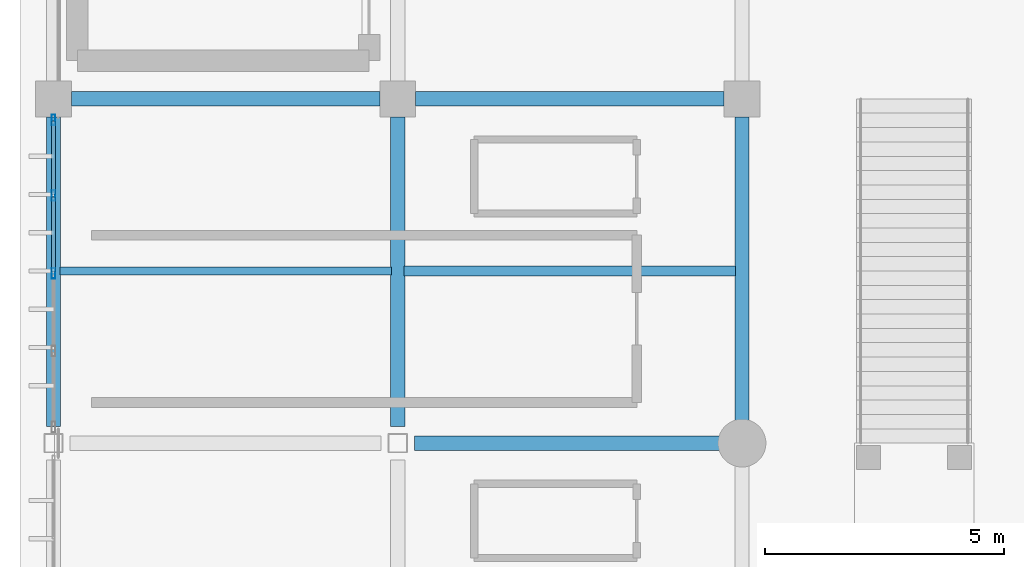
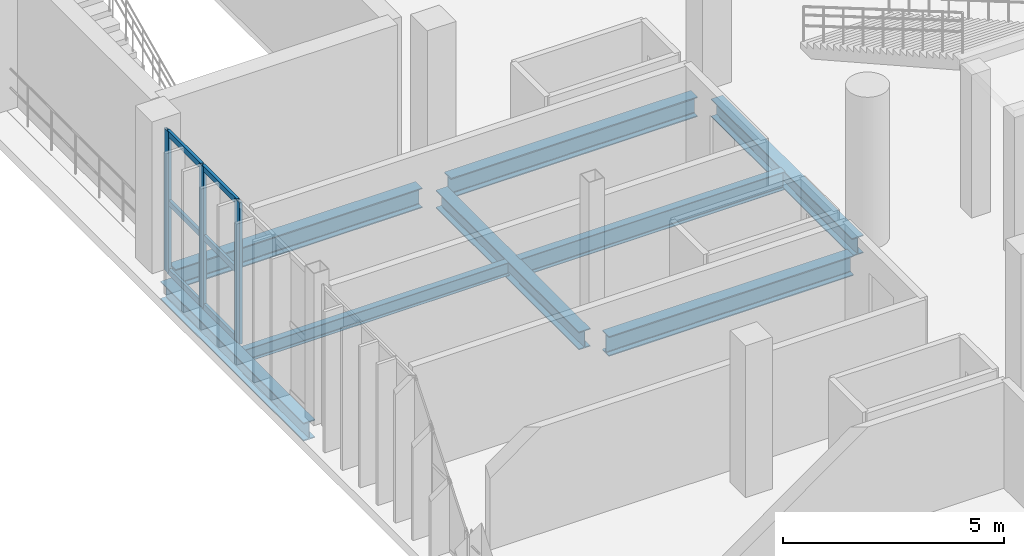
# One storey, part 50 of 130: 9 members, 8 beams, 1 element without a shape of its own.
"""IFC4 building model written with IfcOpenShell, lengths in metres."""

from ifc_helpers import new_model, si_unit, direction, frame, origin, origin_2d, place, context, subcontext, project, spatial, hollow_rectangle, i_section, extrude, material, material_profile, profile_set, type_object, element, aggregate, save


model = new_model("IFC4")

# Units and contexts
model_context = context("Model", 3, precision=1e-05, world=origin(), true_north=direction((0.0, 1.0)))
body_context = subcontext(model_context, "Body", "Model", "MODEL_VIEW")
ifc_project = project(units=[si_unit("LENGTHUNIT", "METRE"), si_unit("AREAUNIT", "SQUARE_METRE"), si_unit("VOLUMEUNIT", "CUBIC_METRE"), si_unit("PLANEANGLEUNIT", "RADIAN"), si_unit("MASSUNIT", "GRAM", prefix="KILO")], contexts=[model_context])

# Site, building, storey
site_placement = place(None, origin())
site = spatial("IfcSite", under=ifc_project, at=site_placement, CompositionType="ELEMENT")
building_placement = place(site_placement, origin())
building = spatial("IfcBuilding", under=site, at=building_placement, Name="Qandorah Velis Arena", CompositionType="ELEMENT")
storey_placement = place(building_placement, frame((0.0, 0.0, 9.60009765625)))
storey = spatial("IfcBuildingStorey", under=building, at=storey_placement, Name="L02", CompositionType="ELEMENT", Elevation=9.60009765625)

# Curtain wall, members
ifc_material_1 = material(Name="Solar-control low-E double glazing", Category="glass")
curtain_wall_type = type_object("IfcCurtainWallType", Name="ARC-CW-SYS17", PredefinedType="USERDEFINED", material=ifc_material_1)
curtain_wall_placement = place(storey_placement, origin())
curtain_wall = element("IfcCurtainWall", 1, at=curtain_wall_placement, inside=storey, type_object=curtain_wall_type, Name="Unitised curtain wall L02-017", ObjectType="UNITISED CURTAIN WALL", PredefinedType="USERDEFINED")
ifc_material_2 = material(Name="Champagne-bronze anodized aluminium 6063-T6", Category="aluminium")
ifc_material_profile_1 = material_profile(ifc_material_2, hollow_rectangle(XDim=0.074951171875, YDim=0.219970703125, WallThickness=0.00390625, at=origin_2d()), Name="ALU MULLION 75x220")
ifc_profile_set_1 = profile_set([ifc_material_profile_1], Name="Champagne-bronze anodized aluminium 6063-T6")
member_type_1 = type_object("IfcMemberType", Name="ARC-CWM-220", PredefinedType="MULLION", material=ifc_profile_set_1)
member_1_placement = place(storey_placement, frame((0.0, 75.550048828125, -0.01513671875), z_axis=(0.0, 0.0, 1.0), x_axis=(-1.0, 0.0, 0.0)))
member_1 = element("IfcMember", 2, at=member_1_placement, type_object=member_type_1, Name="CW17 mullion 3", PredefinedType="MULLION", context=body_context, shape_type="SweptSolid", body=[
    extrude(hollow_rectangle(XDim=0.074951171875, YDim=0.219970703125, WallThickness=0.00390625, at=origin_2d()), origin(), (0.0, 0.0, 1.0), 3.91015625),
])
member_2_placement = place(storey_placement, frame((0.0, 77.175048828125, -0.01513671875), z_axis=(0.0, 0.0, 1.0), x_axis=(-1.0, 0.0, 0.0)))
member_2 = element("IfcMember", 3, at=member_2_placement, type_object=member_type_1, Name="CW17 mullion 4", PredefinedType="MULLION", context=body_context, shape_type="SweptSolid", body=[
    extrude(hollow_rectangle(XDim=0.074951171875, YDim=0.219970703125, WallThickness=0.00390625, at=origin_2d()), origin(), (0.0, 0.0, 1.0), 3.91015625),
])
member_3_placement = place(storey_placement, frame((0.0, 78.762451171875, -0.01513671875), z_axis=(0.0, 0.0, 1.0), x_axis=(-1.0, 0.0, 0.0)))
member_3 = element("IfcMember", 4, at=member_3_placement, type_object=member_type_1, Name="CW17 mullion 5", PredefinedType="MULLION", context=body_context, shape_type="SweptSolid", body=[
    extrude(hollow_rectangle(XDim=0.074951171875, YDim=0.219970703125, WallThickness=0.00390625, at=origin_2d()), origin(), (0.0, 0.0, 1.0), 3.91015625),
])
ifc_material_profile_2 = material_profile(ifc_material_2, hollow_rectangle(XDim=0.074951171875, YDim=0.159912109375, WallThickness=0.00341796875, at=origin_2d()), Name="ALU TRANSOM 75x160")
ifc_profile_set_2 = profile_set([ifc_material_profile_2], Name="Champagne-bronze anodized aluminium 6063-T6")
member_type_2 = type_object("IfcMemberType", Name="ARC-CWT-160", PredefinedType="USERDEFINED", material=ifc_profile_set_2)
member_4_placement = place(storey_placement, frame((0.0, 75.575439453125, 0.037353515625), z_axis=(0.0, 1.0, 0.0), x_axis=(-1.0, 0.0, 0.0)))
member_4 = element("IfcMember", 5, at=member_4_placement, type_object=member_type_2, Name="CW17 transom 3.1", ObjectType="TRANSOM", PredefinedType="USERDEFINED", context=body_context, shape_type="SweptSolid", body=[
    extrude(hollow_rectangle(XDim=0.074951171875, YDim=0.159912109375, WallThickness=0.00341796875, at=origin_2d()), origin(), (0.0, 0.0, 1.0), 1.573974609375),
])
member_5_placement = place(storey_placement, frame((0.0, 75.575439453125, 1.93994140625), z_axis=(0.0, 1.0, 0.0), x_axis=(-1.0, 0.0, 0.0)))
member_5 = element("IfcMember", 6, at=member_5_placement, type_object=member_type_2, Name="CW17 transom 3.2", ObjectType="TRANSOM", PredefinedType="USERDEFINED", context=body_context, shape_type="SweptSolid", body=[
    extrude(hollow_rectangle(XDim=0.074951171875, YDim=0.159912109375, WallThickness=0.00341796875, at=origin_2d()), origin(), (0.0, 0.0, 1.0), 1.573974609375),
])
member_6_placement = place(storey_placement, frame((0.0, 75.575439453125, 3.84228515625), z_axis=(0.0, 1.0, 0.0), x_axis=(-1.0, 0.0, 0.0)))
member_6 = element("IfcMember", 7, at=member_6_placement, type_object=member_type_2, Name="CW17 transom 3.3", ObjectType="TRANSOM", PredefinedType="USERDEFINED", context=body_context, shape_type="SweptSolid", body=[
    extrude(hollow_rectangle(XDim=0.074951171875, YDim=0.159912109375, WallThickness=0.00341796875, at=origin_2d()), origin(), (0.0, 0.0, 1.0), 1.573974609375),
])
member_7_placement = place(storey_placement, frame((0.0, 77.200439453125, 0.037353515625), z_axis=(0.0, 1.0, 0.0), x_axis=(-1.0, 0.0, 0.0)))
member_7 = element("IfcMember", 8, at=member_7_placement, type_object=member_type_2, Name="CW17 transom 4.1", ObjectType="TRANSOM", PredefinedType="USERDEFINED", context=body_context, shape_type="SweptSolid", body=[
    extrude(hollow_rectangle(XDim=0.074951171875, YDim=0.159912109375, WallThickness=0.00341796875, at=origin_2d()), origin(), (0.0, 0.0, 1.0), 1.53662109375),
])
member_8_placement = place(storey_placement, frame((0.0, 77.200439453125, 1.93994140625), z_axis=(0.0, 1.0, 0.0), x_axis=(-1.0, 0.0, 0.0)))
member_8 = element("IfcMember", 9, at=member_8_placement, type_object=member_type_2, Name="CW17 transom 4.2", ObjectType="TRANSOM", PredefinedType="USERDEFINED", context=body_context, shape_type="SweptSolid", body=[
    extrude(hollow_rectangle(XDim=0.074951171875, YDim=0.159912109375, WallThickness=0.00341796875, at=origin_2d()), origin(), (0.0, 0.0, 1.0), 1.53662109375),
])
member_9_placement = place(storey_placement, frame((0.0, 77.200439453125, 3.84228515625), z_axis=(0.0, 1.0, 0.0), x_axis=(-1.0, 0.0, 0.0)))
member_9 = element("IfcMember", 10, at=member_9_placement, type_object=member_type_2, Name="CW17 transom 4.3", ObjectType="TRANSOM", PredefinedType="USERDEFINED", context=body_context, shape_type="SweptSolid", body=[
    extrude(hollow_rectangle(XDim=0.074951171875, YDim=0.159912109375, WallThickness=0.00341796875, at=origin_2d()), origin(), (0.0, 0.0, 1.0), 1.53662109375),
])
aggregate(curtain_wall, [member_1, member_2, member_3, member_4, member_5, member_6, member_7, member_8, member_9])

# Beams
ifc_material_3 = material(Name="Steel S355", Category="steel")
ifc_material_profile_3 = material_profile(ifc_material_3, i_section(OverallWidth=0.300048828125, OverallDepth=0.5, WebThickness=0.014404296875, FlangeThickness=0.028076171875, FilletRadius=0.027099609375, at=origin_2d()), Name="HEB 500")
ifc_profile_set_3 = profile_set([ifc_material_profile_3], Name="Steel S355")
beam_type_1 = type_object("IfcBeamType", Name="STR-BM-HEB500", PredefinedType="BEAM", material=ifc_profile_set_3)
for number, where, z_axis, x_axis, name in (
    (11, (0.0, 72.35009765625, -0.530029296875), (0.0, 1.0, 0.0), (-1.0, 0.0, 0.0), "Primary floor girder L02 Y-192"),
    (12, (7.199951171875, 72.35009765625, -0.530029296875), (0.0, 1.0, 0.0), (-1.0, 0.0, 0.0), "Primary floor girder L02 Y-206"),
):
    element("IfcBeam", number, at=place(storey_placement, frame(where, z_axis=z_axis, x_axis=x_axis)), inside=storey, type_object=beam_type_1, Name=name, PredefinedType="BEAM", context=body_context, shape_type="SweptSolid", body=[
        extrude(i_section(OverallWidth=0.300048828125, OverallDepth=0.5, WebThickness=0.014404296875, FlangeThickness=0.028076171875, FilletRadius=0.027099609375, at=origin_2d()), origin(), (0.0, 0.0, 1.0), 6.474853515625),
    ])
beam_1_placement = place(storey_placement, frame((14.39990234375, 72.449951171875, -0.530029296875), z_axis=(0.0, 1.0, 0.0), x_axis=(-1.0, 0.0, 0.0)))
element("IfcBeam", 13, at=beam_1_placement, inside=storey, type_object=beam_type_1, Name="Primary floor girder L02 Y-220", PredefinedType="BEAM", context=body_context, shape_type="SweptSolid", body=[
    extrude(i_section(OverallWidth=0.300048828125, OverallDepth=0.5, WebThickness=0.014404296875, FlangeThickness=0.028076171875, FilletRadius=0.027099609375, at=origin_2d()), origin(), (0.0, 0.0, 1.0), 6.375),
])
ifc_material_profile_4 = material_profile(ifc_material_3, i_section(OverallWidth=0.300048828125, OverallDepth=0.550048828125, WebThickness=0.014892578125, FlangeThickness=0.029052734375, FilletRadius=0.027099609375, at=origin_2d()), Name="HEB 550")
ifc_profile_set_4 = profile_set([ifc_material_profile_4], Name="Steel S355")
beam_type_2 = type_object("IfcBeamType", Name="STR-BM-HEB550", PredefinedType="BEAM", material=ifc_profile_set_4)
beam_2_placement = place(storey_placement, frame((7.550048828125, 72.0, -0.55517578125), z_axis=(1.0, 0.0, 0.0), x_axis=(0.0, 1.0, 0.0)))
element("IfcBeam", 14, at=beam_2_placement, inside=storey, type_object=beam_type_2, Name="Primary floor girder L02 X-099", PredefinedType="BEAM", context=body_context, shape_type="SweptSolid", body=[
    extrude(i_section(OverallWidth=0.300048828125, OverallDepth=0.550048828125, WebThickness=0.014892578125, FlangeThickness=0.029052734375, FilletRadius=0.027099609375, at=origin_2d()), origin(), (0.0, 0.0, 1.0), 6.39990234375),
])
for number, where, z_axis, x_axis, name in (
    (15, (0.375, 79.199951171875, -0.55517578125), (1.0, 0.0, 0.0), (0.0, 1.0, 0.0), "Primary floor girder L02 X-104"),
    (16, (7.574951171875, 79.199951171875, -0.55517578125), (1.0, 0.0, 0.0), (0.0, 1.0, 0.0), "Primary floor girder L02 X-105"),
):
    element("IfcBeam", number, at=place(storey_placement, frame(where, z_axis=z_axis, x_axis=x_axis)), inside=storey, type_object=beam_type_2, Name=name, PredefinedType="BEAM", context=body_context, shape_type="SweptSolid", body=[
        extrude(i_section(OverallWidth=0.300048828125, OverallDepth=0.550048828125, WebThickness=0.014892578125, FlangeThickness=0.029052734375, FilletRadius=0.027099609375, at=origin_2d()), origin(), (0.0, 0.0, 1.0), 6.449951171875),
    ])
ifc_material_profile_5 = material_profile(ifc_material_3, i_section(OverallWidth=0.169921875, OverallDepth=0.360107421875, WebThickness=0.008056640625, FlangeThickness=0.0126953125, FilletRadius=0.01806640625, at=origin_2d()), Name="IPE 360")
ifc_profile_set_5 = profile_set([ifc_material_profile_5], Name="Steel S355")
beam_type_3 = type_object("IfcBeamType", Name="STR-JST-IPE360", PredefinedType="JOIST", material=ifc_profile_set_5)
beam_3_placement = place(storey_placement, frame((0.135009765625, 75.60009765625, -0.460205078125), z_axis=(1.0, 0.0, 0.0), x_axis=(0.0, 1.0, 0.0)))
element("IfcBeam", 17, at=beam_3_placement, inside=storey, type_object=beam_type_3, Name="Secondary floor joist L02-007", PredefinedType="JOIST", context=body_context, shape_type="SweptSolid", body=[
    extrude(i_section(OverallWidth=0.169921875, OverallDepth=0.360107421875, WebThickness=0.008056640625, FlangeThickness=0.0126953125, FilletRadius=0.01806640625, at=origin_2d()), origin(), (0.0, 0.0, 1.0), 6.929931640625),
])
ifc_material_profile_6 = material_profile(ifc_material_3, i_section(OverallWidth=0.199951171875, OverallDepth=0.5, WebThickness=0.01025390625, FlangeThickness=0.01611328125, FilletRadius=0.02099609375, at=origin_2d()), Name="IPE 500")
ifc_profile_set_6 = profile_set([ifc_material_profile_6], Name="Steel S355")
beam_type_4 = type_object("IfcBeamType", Name="STR-JST-IPE500", PredefinedType="JOIST", material=ifc_profile_set_6)
beam_4_placement = place(storey_placement, frame((7.3349609375, 75.60009765625, -0.530029296875), z_axis=(1.0, 0.0, 0.0), x_axis=(0.0, 1.0, 0.0)))
element("IfcBeam", 18, at=beam_4_placement, inside=storey, type_object=beam_type_4, Name="Secondary floor joist L02-019", PredefinedType="JOIST", context=body_context, shape_type="SweptSolid", body=[
    extrude(i_section(OverallWidth=0.199951171875, OverallDepth=0.5, WebThickness=0.01025390625, FlangeThickness=0.01611328125, FilletRadius=0.02099609375, at=origin_2d()), origin(), (0.0, 0.0, 1.0), 6.929931640625),
])

save(model, "model.ifc")
